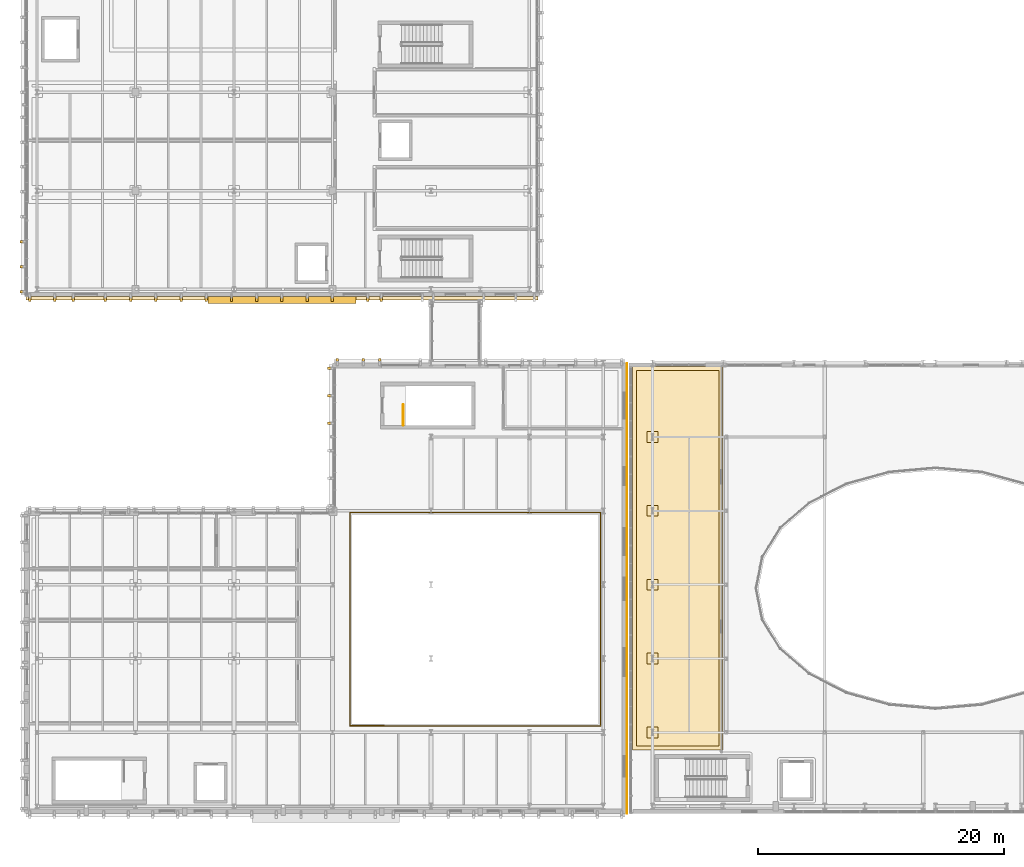
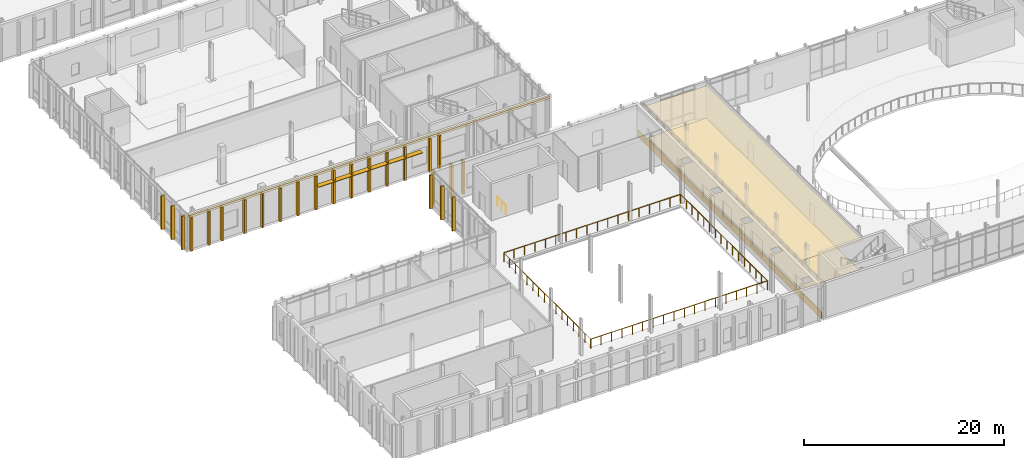
# One storey, part 84 of 100: 28 coverings, 3 railings, 1 shading device.
"""IFC4 building model written with IfcOpenShell, lengths in metres."""

from ifc_helpers import new_model, si_unit, direction, frame, frame_2d, origin, origin_2d, place, context, subcontext, project, spatial, polyline, rectangle, circle, outline, extrude, material, layer, layer_set, type_object, element, save


model = new_model("IFC4")

# Units and contexts
model_context = context("Model", 3, precision=1e-05, world=origin(), true_north=direction((0.0, 1.0)))
body_context = subcontext(model_context, "Body", "Model", "MODEL_VIEW")
ifc_project = project(units=[si_unit("LENGTHUNIT", "METRE"), si_unit("AREAUNIT", "SQUARE_METRE"), si_unit("VOLUMEUNIT", "CUBIC_METRE"), si_unit("PLANEANGLEUNIT", "RADIAN"), si_unit("MASSUNIT", "GRAM", prefix="KILO")], contexts=[model_context])

# Site, building, storey
site_placement = place(None, origin())
site = spatial("IfcSite", under=ifc_project, at=site_placement, CompositionType="ELEMENT")
building_placement = place(site_placement, origin())
building = spatial("IfcBuilding", under=site, at=building_placement, Name="Cymarion Research Institute", CompositionType="ELEMENT")
storey_placement = place(building_placement, frame((0.0, 0.0, 9.300048828125)))
storey = spatial("IfcBuildingStorey", under=building, at=storey_placement, Name="L02", CompositionType="ELEMENT", Elevation=9.300048828125)

# Covering
ifc_material_1 = material(Name="Micro-perforated mineral acoustic ceiling tile", Category="gypsum")
ifc_layer_1 = layer(ifc_material_1, 0.030029296875)
ifc_layer_set_1 = layer_set([ifc_layer_1], Name="Micro-perforated mineral acoustic ceiling tile")
covering_type_1 = type_object("IfcCoveringType", Name="ACOUSTIC MICRO-PERFORATED SUSPENDED CEILING CLG-01", PredefinedType="CEILING", material=ifc_layer_set_1)
covering_1_placement = place(storey_placement, frame((0.0, 0.0, 3.699951171875)))
element("IfcCovering", 1, at=covering_1_placement, inside=storey, type_object=covering_type_1, Name="L02 L02 West Interdisciplinary Bioinformatics Lab & Studio acoustic ceiling", PredefinedType="CEILING", context=body_context, shape_type="SweptSolid", body=[
    extrude(outline(polyline([(62.31494140625, 41.215087890625), (62.31494140625, 10.0849609375), (54.985107421875, 10.0849609375), (54.985107421875, 41.215087890625), (62.31494140625, 41.215087890625)])), origin(), (0.0, 0.0, 1.0), 0.030029296875),
])

# Shading device
ifc_material_2 = material(Name="Anodised aluminium solar louvre jalousie", Category="aluminium")
ifc_layer_2 = layer(ifc_material_2, 0.06005859375)
ifc_layer_set_2 = layer_set([ifc_layer_2], Name="Anodised aluminium solar louvre jalousie")
shading_device_type = type_object("IfcShadingDeviceType", Name="ANODISED ALUMINIUM HORIZONTAL LOUVRE JALOUSIE SHD2 550MM", PredefinedType="JALOUSIE", material=ifc_layer_set_2)
shading_device_placement = place(storey_placement, frame((26.5, 46.623046875, 2.7900390625), z_axis=(0.0, 0.0, 1.0), x_axis=(0.0, -1.0, 0.0)))
element("IfcShadingDevice", 2, at=shading_device_placement, inside=storey, type_object=shading_device_type, Name="L02 V4 south aluminium sunshade SHD2 #5", PredefinedType="JALOUSIE", context=body_context, shape_type="SweptSolid", body=[
    extrude(rectangle(XDim=0.550048828125, YDim=12.0, at=origin_2d()), origin(), (0.0, 0.0, 1.0), 0.06005859375),
])

# Railings
ifc_material_3 = material(Name="Steel S355", Category="steel")
railing_type_1 = type_object("IfcRailingType", Name="LAMINATED GLASS AND STEEL BALUSTRADE BAL1 1120MM", PredefinedType="BALUSTRADE", material=ifc_material_3)
railing_1_placement = place(storey_placement, frame((32.02001953125, 12.02001953125, 0.0)))
element("IfcRailing", 3, at=railing_1_placement, inside=storey, type_object=railing_type_1, Name="L02 V3 Lecture Hall balcony guard 1", PredefinedType="BALUSTRADE", context=body_context, shape_type="SweptSolid", body=[
    extrude(circle(Radius=0.02392578125, at=origin_2d()), frame((0.0, 0.0, 1.09619140625), z_axis=(0.0, 1.0, 0.0), x_axis=(-1.0, 0.0, 0.0)), (0.0, 0.0, 1.0), 17.35986328125),
    extrude(circle(Radius=0.02392578125, at=origin_2d()), frame((0.0, 17.35986328125, 1.09619140625), z_axis=(1.0, 0.0, 0.0), x_axis=(0.0, 1.0, 0.0)), (0.0, 0.0, 1.0), 20.35986328125),
    extrude(circle(Radius=0.02099609375, at=origin_2d()), origin(), (0.0, 0.0, 1.0), 1.072021484375),
    extrude(circle(Radius=0.02099609375, at=origin_2d()), frame((0.0, 1.1572265625, 0.0)), (0.0, 0.0, 1.0), 1.072021484375),
    extrude(circle(Radius=0.02099609375, at=origin_2d()), frame((0.0, 2.314697265625, 0.0)), (0.0, 0.0, 1.0), 1.072021484375),
    extrude(circle(Radius=0.02099609375, at=origin_2d()), frame((0.0, 3.471923828125, 0.0)), (0.0, 0.0, 1.0), 1.072021484375),
    extrude(circle(Radius=0.02099609375, at=origin_2d()), frame((0.0, 4.62939453125, 0.0)), (0.0, 0.0, 1.0), 1.072021484375),
    extrude(circle(Radius=0.02099609375, at=origin_2d()), frame((0.0, 5.78662109375, 0.0)), (0.0, 0.0, 1.0), 1.072021484375),
    extrude(circle(Radius=0.02099609375, at=origin_2d()), frame((0.0, 6.94384765625, 0.0)), (0.0, 0.0, 1.0), 1.072021484375),
    extrude(circle(Radius=0.02099609375, at=origin_2d()), frame((0.0, 8.101318359375, 0.0)), (0.0, 0.0, 1.0), 1.072021484375),
    extrude(circle(Radius=0.02099609375, at=origin_2d()), frame((0.0, 9.258544921875, 0.0)), (0.0, 0.0, 1.0), 1.072021484375),
    extrude(circle(Radius=0.02099609375, at=origin_2d()), frame((0.0, 10.416015625, 0.0)), (0.0, 0.0, 1.0), 1.072021484375),
    extrude(circle(Radius=0.02099609375, at=origin_2d()), frame((0.0, 11.5732421875, 0.0)), (0.0, 0.0, 1.0), 1.072021484375),
    extrude(circle(Radius=0.02099609375, at=origin_2d()), frame((0.0, 12.73046875, 0.0)), (0.0, 0.0, 1.0), 1.072021484375),
    extrude(circle(Radius=0.02099609375, at=origin_2d()), frame((0.0, 13.887939453125, 0.0)), (0.0, 0.0, 1.0), 1.072021484375),
    extrude(circle(Radius=0.02099609375, at=origin_2d()), frame((0.0, 15.045166015625, 0.0)), (0.0, 0.0, 1.0), 1.072021484375),
    extrude(circle(Radius=0.02099609375, at=origin_2d()), frame((0.0, 16.20263671875, 0.0)), (0.0, 0.0, 1.0), 1.072021484375),
    extrude(circle(Radius=0.02099609375, at=origin_2d()), frame((0.0, 17.35986328125, 0.0)), (0.0, 0.0, 1.0), 1.072021484375),
    extrude(circle(Radius=0.02099609375, at=origin_2d()), frame((1.19775390625, 17.35986328125, 0.0)), (0.0, 0.0, 1.0), 1.072021484375),
    extrude(circle(Radius=0.02099609375, at=origin_2d()), frame((2.395263671875, 17.35986328125, 0.0)), (0.0, 0.0, 1.0), 1.072021484375),
    extrude(circle(Radius=0.02099609375, at=origin_2d()), frame((3.593017578125, 17.35986328125, 0.0)), (0.0, 0.0, 1.0), 1.072021484375),
    extrude(circle(Radius=0.02099609375, at=origin_2d()), frame((4.79052734375, 17.35986328125, 0.0)), (0.0, 0.0, 1.0), 1.072021484375),
    extrude(circle(Radius=0.02099609375, at=origin_2d()), frame((5.98828125, 17.35986328125, 0.0)), (0.0, 0.0, 1.0), 1.072021484375),
    extrude(circle(Radius=0.02099609375, at=origin_2d()), frame((7.185791015625, 17.35986328125, 0.0)), (0.0, 0.0, 1.0), 1.072021484375),
    extrude(circle(Radius=0.02099609375, at=origin_2d()), frame((8.383544921875, 17.35986328125, 0.0)), (0.0, 0.0, 1.0), 1.072021484375),
    extrude(circle(Radius=0.02099609375, at=origin_2d()), frame((9.5810546875, 17.35986328125, 0.0)), (0.0, 0.0, 1.0), 1.072021484375),
    extrude(circle(Radius=0.02099609375, at=origin_2d()), frame((10.77880859375, 17.35986328125, 0.0)), (0.0, 0.0, 1.0), 1.072021484375),
    extrude(circle(Radius=0.02099609375, at=origin_2d()), frame((11.976318359375, 17.35986328125, 0.0)), (0.0, 0.0, 1.0), 1.072021484375),
    extrude(circle(Radius=0.02099609375, at=origin_2d()), frame((13.174072265625, 17.35986328125, 0.0)), (0.0, 0.0, 1.0), 1.072021484375),
    extrude(circle(Radius=0.02099609375, at=origin_2d()), frame((14.37158203125, 17.35986328125, 0.0)), (0.0, 0.0, 1.0), 1.072021484375),
    extrude(circle(Radius=0.02099609375, at=origin_2d()), frame((15.5693359375, 17.35986328125, 0.0)), (0.0, 0.0, 1.0), 1.072021484375),
    extrude(circle(Radius=0.02099609375, at=origin_2d()), frame((16.766845703125, 17.35986328125, 0.0)), (0.0, 0.0, 1.0), 1.072021484375),
    extrude(circle(Radius=0.02099609375, at=origin_2d()), frame((17.964599609375, 17.35986328125, 0.0)), (0.0, 0.0, 1.0), 1.072021484375),
    extrude(circle(Radius=0.02099609375, at=origin_2d()), frame((19.162109375, 17.35986328125, 0.0)), (0.0, 0.0, 1.0), 1.072021484375),
    extrude(circle(Radius=0.02099609375, at=origin_2d()), frame((20.35986328125, 17.35986328125, 0.0)), (0.0, 0.0, 1.0), 1.072021484375),
])
railing_2_placement = place(storey_placement, frame((52.3798828125, 29.3798828125, 0.0)))
element("IfcRailing", 4, at=railing_2_placement, inside=storey, type_object=railing_type_1, Name="L02 V3 Lecture Hall balcony guard 2", PredefinedType="BALUSTRADE", context=body_context, shape_type="SweptSolid", body=[
    extrude(circle(Radius=0.02392578125, at=origin_2d()), frame((0.0, 0.0, 1.09619140625), z_axis=(0.0, -1.0, 0.0), x_axis=(1.0, 0.0, 0.0)), (0.0, 0.0, 1.0), 17.35986328125),
    extrude(circle(Radius=0.02392578125, at=origin_2d()), frame((0.0, -17.35986328125, 1.09619140625), z_axis=(-0.999999516576, 0.000983283694, 0.0), x_axis=(-0.000983283694, -0.999999516576, 0.0)), (0.0, 0.0, 1.0), 20.35986328125),
    extrude(circle(Radius=0.02099609375, at=origin_2d()), origin(), (0.0, 0.0, 1.0), 1.072021484375),
    extrude(circle(Radius=0.02099609375, at=origin_2d()), frame((0.0, -1.1572265625, 0.0)), (0.0, 0.0, 1.0), 1.072021484375),
    extrude(circle(Radius=0.02099609375, at=origin_2d()), frame((0.0, -2.314697265625, 0.0)), (0.0, 0.0, 1.0), 1.072021484375),
    extrude(circle(Radius=0.02099609375, at=origin_2d()), frame((0.0, -3.471923828125, 0.0)), (0.0, 0.0, 1.0), 1.072021484375),
    extrude(circle(Radius=0.02099609375, at=origin_2d()), frame((0.0, -4.62939453125, 0.0)), (0.0, 0.0, 1.0), 1.072021484375),
    extrude(circle(Radius=0.02099609375, at=origin_2d()), frame((0.0, -5.78662109375, 0.0)), (0.0, 0.0, 1.0), 1.072021484375),
    extrude(circle(Radius=0.02099609375, at=origin_2d()), frame((0.0, -6.94384765625, 0.0)), (0.0, 0.0, 1.0), 1.072021484375),
    extrude(circle(Radius=0.02099609375, at=origin_2d()), frame((0.0, -8.101318359375, 0.0)), (0.0, 0.0, 1.0), 1.072021484375),
    extrude(circle(Radius=0.02099609375, at=origin_2d()), frame((0.0, -9.258544921875, 0.0)), (0.0, 0.0, 1.0), 1.072021484375),
    extrude(circle(Radius=0.02099609375, at=origin_2d()), frame((0.0, -10.416015625, 0.0)), (0.0, 0.0, 1.0), 1.072021484375),
    extrude(circle(Radius=0.02099609375, at=origin_2d()), frame((0.0, -11.5732421875, 0.0)), (0.0, 0.0, 1.0), 1.072021484375),
    extrude(circle(Radius=0.02099609375, at=origin_2d()), frame((0.0, -12.73046875, 0.0)), (0.0, 0.0, 1.0), 1.072021484375),
    extrude(circle(Radius=0.02099609375, at=origin_2d()), frame((0.0, -13.887939453125, 0.0)), (0.0, 0.0, 1.0), 1.072021484375),
    extrude(circle(Radius=0.02099609375, at=origin_2d()), frame((0.0, -15.045166015625, 0.0)), (0.0, 0.0, 1.0), 1.072021484375),
    extrude(circle(Radius=0.02099609375, at=origin_2d()), frame((0.0, -16.20263671875, 0.0)), (0.0, 0.0, 1.0), 1.072021484375),
    extrude(circle(Radius=0.02099609375, at=origin_2d()), frame((0.0, -17.35986328125, 0.0)), (0.0, 0.0, 1.0), 1.072021484375),
    extrude(circle(Radius=0.02099609375, at=origin_2d()), frame((-1.19775390625, -17.358642578125, 0.0)), (0.0, 0.0, 1.0), 1.072021484375),
    extrude(circle(Radius=0.02099609375, at=origin_2d()), frame((-2.395263671875, -17.357421875, 0.0)), (0.0, 0.0, 1.0), 1.072021484375),
    extrude(circle(Radius=0.02099609375, at=origin_2d()), frame((-3.593017578125, -17.3564453125, 0.0)), (0.0, 0.0, 1.0), 1.072021484375),
    extrude(circle(Radius=0.02099609375, at=origin_2d()), frame((-4.79052734375, -17.355224609375, 0.0)), (0.0, 0.0, 1.0), 1.072021484375),
    extrude(circle(Radius=0.02099609375, at=origin_2d()), frame((-5.98828125, -17.35400390625, 0.0)), (0.0, 0.0, 1.0), 1.072021484375),
    extrude(circle(Radius=0.02099609375, at=origin_2d()), frame((-7.185791015625, -17.352783203125, 0.0)), (0.0, 0.0, 1.0), 1.072021484375),
    extrude(circle(Radius=0.02099609375, at=origin_2d()), frame((-8.383544921875, -17.3515625, 0.0)), (0.0, 0.0, 1.0), 1.072021484375),
    extrude(circle(Radius=0.02099609375, at=origin_2d()), frame((-9.5810546875, -17.350341796875, 0.0)), (0.0, 0.0, 1.0), 1.072021484375),
    extrude(circle(Radius=0.02099609375, at=origin_2d()), frame((-10.77880859375, -17.349365234375, 0.0)), (0.0, 0.0, 1.0), 1.072021484375),
    extrude(circle(Radius=0.02099609375, at=origin_2d()), frame((-11.976318359375, -17.34814453125, 0.0)), (0.0, 0.0, 1.0), 1.072021484375),
    extrude(circle(Radius=0.02099609375, at=origin_2d()), frame((-13.174072265625, -17.346923828125, 0.0)), (0.0, 0.0, 1.0), 1.072021484375),
    extrude(circle(Radius=0.02099609375, at=origin_2d()), frame((-14.37158203125, -17.345703125, 0.0)), (0.0, 0.0, 1.0), 1.072021484375),
    extrude(circle(Radius=0.02099609375, at=origin_2d()), frame((-15.5693359375, -17.344482421875, 0.0)), (0.0, 0.0, 1.0), 1.072021484375),
    extrude(circle(Radius=0.02099609375, at=origin_2d()), frame((-16.766845703125, -17.34326171875, 0.0)), (0.0, 0.0, 1.0), 1.072021484375),
    extrude(circle(Radius=0.02099609375, at=origin_2d()), frame((-17.964599609375, -17.34228515625, 0.0)), (0.0, 0.0, 1.0), 1.072021484375),
    extrude(circle(Radius=0.02099609375, at=origin_2d()), frame((-19.162109375, -17.341064453125, 0.0)), (0.0, 0.0, 1.0), 1.072021484375),
    extrude(circle(Radius=0.02099609375, at=origin_2d()), frame((-20.35986328125, -17.33984375, 0.0)), (0.0, 0.0, 1.0), 1.072021484375),
])
railing_type_2 = type_object("IfcRailingType", Name="PAINTED STEEL STAIR GUARDRAIL GR1 1100MM", PredefinedType="GUARDRAIL", material=ifc_material_3)
railing_3_placement = place(storey_placement, frame((36.35009765625, 36.449951171875, 0.0)))
element("IfcRailing", 5, at=railing_3_placement, inside=storey, type_object=railing_type_2, Name="L02 ST6 top well guard 1", PredefinedType="GUARDRAIL", context=body_context, shape_type="SweptSolid", body=[
    extrude(circle(Radius=0.02392578125, at=origin_2d()), frame((0.0, 0.0, 1.076171875), z_axis=(0.0, 1.0, 0.0), x_axis=(-1.0, 0.0, 0.0)), (0.0, 0.0, 1.0), 1.679931640625),
    extrude(circle(Radius=0.02099609375, at=origin_2d()), origin(), (0.0, 0.0, 1.0), 1.052001953125),
    extrude(circle(Radius=0.02099609375, at=origin_2d()), frame((0.0, 0.83984375, 0.0)), (0.0, 0.0, 1.0), 1.052001953125),
    extrude(circle(Radius=0.02099609375, at=origin_2d()), frame((0.0, 1.679931640625, 0.0)), (0.0, 0.0, 1.0), 1.052001953125),
])

# Coverings
ifc_material_4 = material(Name="Precast concrete C45/55 architectural white", Category="concrete")
ifc_layer_3 = layer(ifc_material_4, 0.260009765625)
ifc_layer_set_3 = layer_set([ifc_layer_3], Name="Precast concrete C45/55 architectural white")
covering_type_2 = type_object("IfcCoveringType", Name="SCULPTURAL WHITE PRECAST CONCRETE SPANDREL BROW BAND RIB2 280MM", PredefinedType="CLADDING", material=ifc_layer_set_3)
covering_2_placement = place(storey_placement, frame((26.5, 46.758056640625, 4.08984375), z_axis=(0.0, 0.0, 1.0), x_axis=(0.0, -1.0, 0.0)))
element("IfcCovering", 6, at=covering_2_placement, inside=storey, type_object=covering_type_2, Name="L02 V4 precast spandrel brow band RIB2 #513", PredefinedType="CLADDING", context=body_context, shape_type="SweptSolid", body=[
    extrude(rectangle(XDim=0.280029296875, YDim=41.56005859375, at=origin_2d()), origin(), (0.0, 0.0, 1.0), 0.260009765625),
])
ifc_layer_4 = layer(ifc_material_4, 0.199951171875)
ifc_layer_set_4 = layer_set([ifc_layer_4], Name="Precast concrete C45/55 architectural white")
covering_type_3 = type_object("IfcCoveringType", Name="SCULPTURAL WHITE PRECAST CONCRETE VERTICAL RIB RIB1 380X200", PredefinedType="CLADDING", material=ifc_layer_set_4)
for number, where, z_axis, x_axis, name in (
    (7, (34.429931640625, 41.69189453125, 0.009765625), (0.0, 0.0, 1.0), (0.0, 1.0, 0.0), "L02 V3 sculptural precast vertical rib RIB1 #476"),
    (8, (33.10009765625, 41.69189453125, 0.009765625), (0.0, 0.0, 1.0), (0.0, 1.0, 0.0), "L02 V3 sculptural precast vertical rib RIB1 #477"),
    (9, (31.0, 41.69189453125, 0.009765625), (0.0, 0.0, 1.0), (0.0, 1.0, 0.0), "L02 V3 sculptural precast vertical rib RIB1 #478"),
    (10, (30.407958984375, 41.10009765625, 0.009765625), (0.0, 0.0, 1.0), (-1.0, 0.0, 0.0), "L02 V3 sculptural precast vertical rib RIB1 #480"),
    (11, (30.407958984375, 38.860107421875, 0.009765625), (0.0, 0.0, 1.0), (-1.0, 0.0, 0.0), "L02 V3 sculptural precast vertical rib RIB1 #481"),
    (12, (30.407958984375, 36.6201171875, 0.009765625), (0.0, 0.0, 1.0), (-1.0, 0.0, 0.0), "L02 V3 sculptural precast vertical rib RIB1 #482"),
    (13, (6.0, 46.7080078125, 0.009765625), (0.0, 0.0, 1.0), (0.0, -1.0, 0.0), "L02 V4 sculptural precast vertical rib RIB1 #514"),
    (14, (8.050048828125, 46.7080078125, 0.009765625), (0.0, 0.0, 1.0), (0.0, -1.0, 0.0), "L02 V4 sculptural precast vertical rib RIB1 #515"),
    (15, (9.5400390625, 46.7080078125, 0.009765625), (0.0, 0.0, 1.0), (0.0, -1.0, 0.0), "L02 V4 sculptural precast vertical rib RIB1 #516"),
    (16, (12.14990234375, 46.7080078125, 0.009765625), (0.0, 0.0, 1.0), (0.0, -1.0, 0.0), "L02 V4 sculptural precast vertical rib RIB1 #517"),
    (17, (14.199951171875, 46.7080078125, 0.009765625), (0.0, 0.0, 1.0), (0.0, -1.0, 0.0), "L02 V4 sculptural precast vertical rib RIB1 #518"),
    (18, (16.25, 46.7080078125, 0.009765625), (0.0, 0.0, 1.0), (0.0, -1.0, 0.0), "L02 V4 sculptural precast vertical rib RIB1 #519"),
    (19, (18.300048828125, 46.7080078125, 0.009765625), (0.0, 0.0, 1.0), (0.0, -1.0, 0.0), "L02 V4 sculptural precast vertical rib RIB1 #520"),
    (20, (20.35009765625, 46.7080078125, 0.009765625), (0.0, 0.0, 1.0), (0.0, -1.0, 0.0), "L02 V4 sculptural precast vertical rib RIB1 #521"),
    (21, (22.39990234375, 46.7080078125, 0.009765625), (0.0, 0.0, 1.0), (0.0, -1.0, 0.0), "L02 V4 sculptural precast vertical rib RIB1 #522"),
    (22, (24.449951171875, 46.7080078125, 0.009765625), (0.0, 0.0, 1.0), (0.0, -1.0, 0.0), "L02 V4 sculptural precast vertical rib RIB1 #523"),
    (23, (26.5, 46.7080078125, 0.009765625), (0.0, 0.0, 1.0), (0.0, -1.0, 0.0), "L02 V4 sculptural precast vertical rib RIB1 #524"),
    (24, (28.550048828125, 46.7080078125, 0.009765625), (0.0, 0.0, 1.0), (0.0, -1.0, 0.0), "L02 V4 sculptural precast vertical rib RIB1 #525"),
    (25, (30.60009765625, 46.7080078125, 0.009765625), (0.0, 0.0, 1.0), (0.0, -1.0, 0.0), "L02 V4 sculptural precast vertical rib RIB1 #526"),
    (26, (33.47998046875, 46.7080078125, 0.009765625), (0.0, 0.0, 1.0), (0.0, -1.0, 0.0), "L02 V4 sculptural precast vertical rib RIB1 #527"),
    (27, (34.580078125, 46.7080078125, 0.009765625), (0.0, 0.0, 1.0), (0.0, -1.0, 0.0), "L02 V4 sculptural precast vertical rib RIB1 #528"),
    (28, (5.407958984375, 51.353271484375, 0.009765625), (0.0, 0.0, 1.0), (-1.0, 0.0, 0.0), "L02 V4 sculptural precast vertical rib RIB1 #585"),
    (29, (5.407958984375, 49.32666015625, 0.009765625), (0.0, 0.0, 1.0), (-1.0, 0.0, 0.0), "L02 V4 sculptural precast vertical rib RIB1 #586"),
    (30, (5.407958984375, 47.300048828125, 0.009765625), (0.0, 0.0, 1.0), (-1.0, 0.0, 0.0), "L02 V4 sculptural precast vertical rib RIB1 #587"),
):
    element("IfcCovering", number, at=place(storey_placement, frame(where, z_axis=z_axis, x_axis=x_axis)), inside=storey, type_object=covering_type_3, Name=name, PredefinedType="CLADDING", context=body_context, shape_type="SweptSolid", body=[
        extrude(rectangle(XDim=0.3798828125, YDim=0.199951171875, at=origin_2d()), origin(), (0.0, 0.0, 1.0), 4.074951171875),
    ])
ifc_material_5 = material(Name="Seamless dissipative epoxy resin flooring", Category="resin")
ifc_layer_5 = layer(ifc_material_5, 0.02001953125)
ifc_layer_set_5 = layer_set([ifc_layer_5], Name="Seamless dissipative epoxy resin flooring")
covering_type_4 = type_object("IfcCoveringType", Name="SEAMLESS ESD EPOXY LABORATORY FLOORING FLR-01", PredefinedType="FLOORING", material=ifc_layer_set_5)
covering_3_placement = place(storey_placement, origin())
element("IfcCovering", 31, at=covering_3_placement, inside=storey, type_object=covering_type_4, Name="L02 L02 West Interdisciplinary Bioinformatics Lab & Studio ESD epoxy flooring", PredefinedType="FLOORING", context=body_context, shape_type="SweptSolid", body=[
    extrude(outline(polyline([(55.284912109375, 40.9150390625), (62.014892578125, 40.9150390625), (62.014892578125, 10.385009765625), (55.284912109375, 10.385009765625), (55.284912109375, 40.9150390625)]), holes=[polyline([(57.034912109375, 11.93505859375), (56.1650390625, 11.93505859375), (56.1650390625, 11.06494140625), (57.034912109375, 11.06494140625), (57.034912109375, 11.93505859375)]), polyline([(57.034912109375, 17.93505859375), (56.1650390625, 17.93505859375), (56.1650390625, 17.06494140625), (57.034912109375, 17.06494140625), (57.034912109375, 17.93505859375)]), polyline([(57.034912109375, 23.93505859375), (56.1650390625, 23.93505859375), (56.1650390625, 23.06494140625), (57.034912109375, 23.06494140625), (57.034912109375, 23.93505859375)]), polyline([(57.034912109375, 29.93505859375), (56.1650390625, 29.93505859375), (56.1650390625, 29.06494140625), (57.034912109375, 29.06494140625), (57.034912109375, 29.93505859375)]), polyline([(57.034912109375, 35.93505859375), (56.1650390625, 35.93505859375), (56.1650390625, 35.06494140625), (57.034912109375, 35.06494140625), (57.034912109375, 35.93505859375)])]), origin(), (0.0, 0.0, 1.0), 0.02001953125),
])
ifc_material_6 = material(Name="Campanian volcanic piperno stone rainscreen", Category="masonry")
ifc_layer_6 = layer(ifc_material_6, 0.050048828125)
ifc_layer_set_6 = layer_set([ifc_layer_6], Name="Campanian volcanic piperno stone rainscreen")
covering_type_5 = type_object("IfcCoveringType", Name="VENTILATED TUFF STONE SPANDREL CLADDING COV-CL01", PredefinedType="CLADDING", material=ifc_layer_set_6)
covering_4_placement = place(storey_placement, frame((54.52490234375, 4.89990234375, 0.0), z_axis=(0.0, 0.0, 1.0), x_axis=(0.0, 1.0, 0.0)))
element("IfcCovering", 32, at=covering_4_placement, inside=storey, type_object=covering_type_5, Name="L02 V3 volcanic piperno stone spandrel cladding #10", PredefinedType="CLADDING", context=body_context, shape_type="SweptSolid", body=[
    extrude(rectangle(XDim=36.60009765625, YDim=0.050048828125, at=frame_2d((18.300048828125, 0.0))), origin(), (0.0, 0.0, 1.0), 0.85986328125),
])

save(model, "model.ifc")
